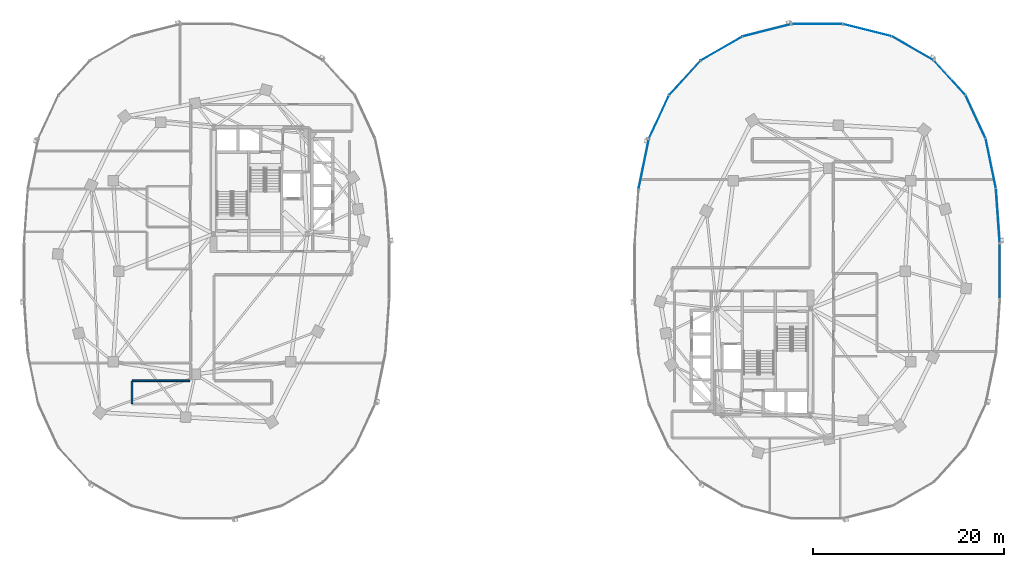
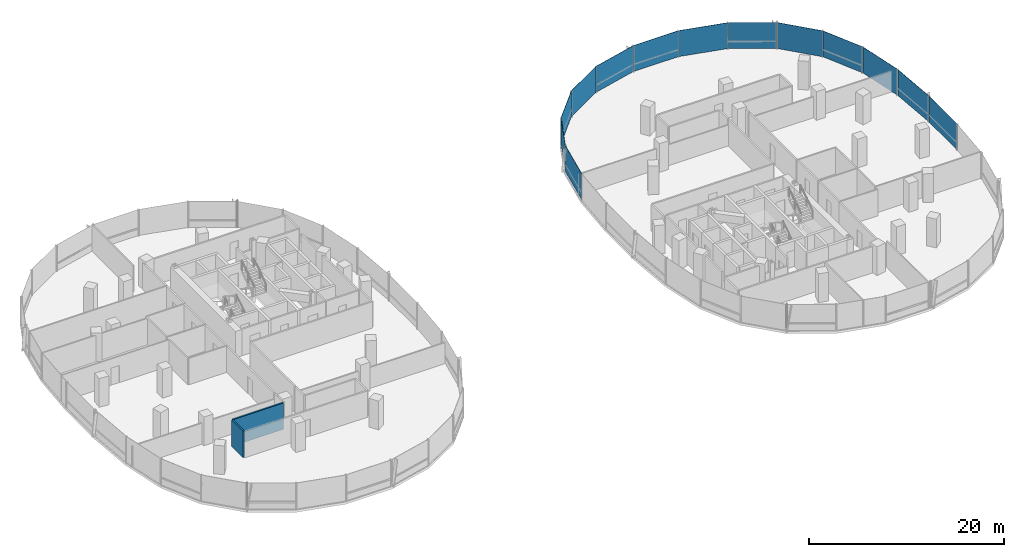
# One storey, part 10 of 21: 13 plates, 2 walls, 3 elements without a shape of their own.
"""IFC4 building model written with IfcOpenShell, lengths in metres."""

from ifc_helpers import new_model, si_unit, direction, frame, frame_2d, origin, origin_2d, place, context, subcontext, project, spatial, rectangle, extrude, material, layer, layer_set, type_object, element, aggregate, save


model = new_model("IFC4")

# Units and contexts
model_context = context("Model", 3, precision=1e-05, world=origin(), true_north=direction((0.0, 1.0)))
body_context = subcontext(model_context, "Body", "Model", "MODEL_VIEW")
ifc_project = project(units=[si_unit("LENGTHUNIT", "METRE"), si_unit("AREAUNIT", "SQUARE_METRE"), si_unit("VOLUMEUNIT", "CUBIC_METRE"), si_unit("PLANEANGLEUNIT", "RADIAN"), si_unit("MASSUNIT", "GRAM", prefix="KILO"), si_unit("THERMODYNAMICTEMPERATUREUNIT", "KELVIN"), si_unit("POWERUNIT", "WATT")], contexts=[model_context])

# Site, building, storey
site_placement = place(None, origin())
site = spatial("IfcSite", under=ifc_project, at=site_placement, CompositionType="ELEMENT")
building_placement = place(site_placement, origin())
building = spatial("IfcBuilding", under=site, at=building_placement, Name="Cundina Bronze Exchange", CompositionType="ELEMENT")
storey_placement = place(building_placement, frame((0.0, 0.0, 110.60009765625)))
storey = spatial("IfcBuildingStorey", under=building, at=storey_placement, Name="L28", CompositionType="ELEMENT", Elevation=110.60009765625)

# Curtain wall, plates
ifc_material_1 = material(Name="Anodised Bronze Aluminium 6063-T6", Category="aluminium")
curtain_wall_type = type_object("IfcCurtainWallType", Name="CWS-TRD-MID", PredefinedType="NOTDEFINED", material=ifc_material_1)
curtain_wall_1_placement = place(storey_placement, origin())
curtain_wall_1 = element("IfcCurtainWall", 1, at=curtain_wall_1_placement, inside=storey, type_object=curtain_wall_type, Name="L28 CW-03 Curtain Wall Run CWR-L28-E1", PredefinedType="NOTDEFINED")
ifc_material_2 = material(Name="Heat-Strengthened Solar-Control Bronze Safety Glass 28mm", Category="glass")
ifc_layer_1 = layer(ifc_material_2, 0.028076171875, Name="Heat-Strengthened Solar-Control Bronze Safety Glass 28mm", Category="glass")
ifc_layer_set_1 = layer_set([ifc_layer_1], Name="Heat-Strengthened Solar-Control Bronze Safety Glass 28mm")
plate_type_1 = type_object("IfcPlateType", Name="PLT-GLZ-VIS28", PredefinedType="CURTAIN_PANEL", material=ifc_layer_set_1)
plate_1_placement = place(storey_placement, frame((50.9267578125, 5.783935546875, 0.02001953125), z_axis=(0.0, 0.0, 1.0), x_axis=(-0.070278787473, 0.997527389113, 0.0)))
plate_1 = element("IfcPlate", 2, at=plate_1_placement, type_object=plate_type_1, Name="CW-03 Glazed Panel 1", PredefinedType="CURTAIN_PANEL", context=body_context, shape_type="SweptSolid", body=[
    extrude(rectangle(XDim=5.644287109375, YDim=0.028076171875, at=origin_2d()), origin(), (0.0, 0.0, 1.0), 3.260009765625),
])
plate_2_placement = place(storey_placement, frame((48.586181640625, 16.177734375, 0.02001953125), z_axis=(0.0, 0.0, 1.0), x_axis=(-0.42084583328, 0.907132175932, 0.0)))
plate_2 = element("IfcPlate", 3, at=plate_2_placement, type_object=plate_type_1, Name="CW-03 Glazed Panel 3", PredefinedType="CURTAIN_PANEL", context=body_context, shape_type="SweptSolid", body=[
    extrude(rectangle(XDim=4.966552734375, YDim=0.028076171875, at=origin_2d()), origin(), (0.0, 0.0, 1.0), 3.260009765625),
])
plate_3_placement = place(storey_placement, frame((45.8740234375, 20.267333984375, 0.02001953125), z_axis=(0.0, 0.0, 1.0), x_axis=(-0.674276610219, 0.73847887777, 0.0)))
plate_3 = element("IfcPlate", 4, at=plate_3_placement, type_object=plate_type_1, Name="CW-03 Glazed Panel 4", PredefinedType="CURTAIN_PANEL", context=body_context, shape_type="SweptSolid", body=[
    extrude(rectangle(XDim=4.86328125, YDim=0.028076171875, at=origin_2d()), origin(), (0.0, 0.0, 1.0), 3.260009765625),
])
plate_4_placement = place(storey_placement, frame((42.019287109375, 23.34423828125, 0.02001953125), z_axis=(0.0, 0.0, 1.0), x_axis=(-0.867105478933, 0.498124571171, 0.0)))
plate_4 = element("IfcPlate", 5, at=plate_4_placement, type_object=plate_type_1, Name="CW-03 Glazed Panel 5", PredefinedType="CURTAIN_PANEL", context=body_context, shape_type="SweptSolid", body=[
    extrude(rectangle(XDim=5.021240234375, YDim=0.028076171875, at=origin_2d()), origin(), (0.0, 0.0, 1.0), 3.260009765625),
])
plate_5_placement = place(storey_placement, frame((37.255615234375, 25.256591796875, 0.02001953125), z_axis=(0.0, 0.0, 1.0), x_axis=(-0.969488149345, 0.245138182011, 0.0)))
plate_5 = element("IfcPlate", 6, at=plate_5_placement, type_object=plate_type_1, Name="CW-03 Glazed Panel 6", PredefinedType="CURTAIN_PANEL", context=body_context, shape_type="SweptSolid", body=[
    extrude(rectangle(XDim=5.2333984375, YDim=0.028076171875, at=origin_2d()), origin(), (0.0, 0.0, 1.0), 3.260009765625),
])

curtain_wall_2_placement = place(storey_placement, origin())
curtain_wall_2 = element("IfcCurtainWall", 7, at=curtain_wall_2_placement, inside=storey, type_object=curtain_wall_type, Name="L28 CW-03 Curtain Wall Run CWR-L28-E2", PredefinedType="NOTDEFINED")
plate_6_placement = place(storey_placement, frame((21.980712890625, 23.34423828125, 0.02001953125), z_axis=(0.0, 0.0, 1.0), x_axis=(-0.867105478933, -0.498124571171, 0.0)))
plate_6 = element("IfcPlate", 8, at=plate_6_placement, type_object=plate_type_1, Name="CW-03 Glazed Panel 2", PredefinedType="CURTAIN_PANEL", context=body_context, shape_type="SweptSolid", body=[
    extrude(rectangle(XDim=5.021240234375, YDim=0.028076171875, at=origin_2d()), origin(), (0.0, 0.0, 1.0), 3.260009765625),
])
plate_7_placement = place(storey_placement, frame((18.1259765625, 20.267333984375, 0.02001953125), z_axis=(0.0, 0.0, 1.0), x_axis=(-0.674276610219, -0.73847887777, 0.0)))
plate_7 = element("IfcPlate", 9, at=plate_7_placement, type_object=plate_type_1, Name="CW-03 Glazed Panel 3", PredefinedType="CURTAIN_PANEL", context=body_context, shape_type="SweptSolid", body=[
    extrude(rectangle(XDim=4.86328125, YDim=0.028076171875, at=origin_2d()), origin(), (0.0, 0.0, 1.0), 3.260009765625),
])
plate_8_placement = place(storey_placement, frame((15.413818359375, 16.177734375, 0.02001953125), z_axis=(0.0, 0.0, 1.0), x_axis=(-0.42084583328, -0.907132175932, 0.0)))
plate_8 = element("IfcPlate", 10, at=plate_8_placement, type_object=plate_type_1, Name="CW-03 Glazed Panel 4", PredefinedType="CURTAIN_PANEL", context=body_context, shape_type="SweptSolid", body=[
    extrude(rectangle(XDim=4.966552734375, YDim=0.028076171875, at=origin_2d()), origin(), (0.0, 0.0, 1.0), 3.260009765625),
])
plate_9_placement = place(storey_placement, frame((13.81591796875, 11.269775390625, 0.02001953125), z_axis=(0.0, 0.0, 1.0), x_axis=(-0.201419845156, -0.979505000486, 0.0)))
plate_9 = element("IfcPlate", 11, at=plate_9_placement, type_object=plate_type_1, Name="CW-03 Glazed Panel 5", PredefinedType="CURTAIN_PANEL", context=body_context, shape_type="SweptSolid", body=[
    extrude(rectangle(XDim=5.306640625, YDim=0.028076171875, at=origin_2d()), origin(), (0.0, 0.0, 1.0), 3.260009765625),
])

# Curtain wall, plate
curtain_wall_3_placement = place(storey_placement, origin())
curtain_wall_3 = element("IfcCurtainWall", 12, at=curtain_wall_3_placement, inside=storey, type_object=curtain_wall_type, Name="L28 CW-03 Curtain Wall Run CWR-L28-E4", PredefinedType="NOTDEFINED")
plate_10_placement = place(storey_placement, frame((51.1279296875, 0.0, 0.02001953125), z_axis=(0.0, 0.0, 1.0), x_axis=(0.0, 1.0, 0.0)))
plate_10 = element("IfcPlate", 13, at=plate_10_placement, type_object=plate_type_1, Name="CW-03 Glazed Panel 7", PredefinedType="CURTAIN_PANEL", context=body_context, shape_type="SweptSolid", body=[
    extrude(rectangle(XDim=5.77587890625, YDim=0.028076171875, at=origin_2d()), origin(), (0.0, 0.0, 1.0), 3.260009765625),
])
aggregate(curtain_wall_3, [plate_10])

# Plate
ifc_material_3 = material(Name="Dark Bronze Spandrel Glass Panel 32mm", Category="glass")
ifc_layer_2 = layer(ifc_material_3, 0.031982421875, Name="Dark Bronze Spandrel Glass Panel 32mm", Category="glass")
ifc_layer_set_2 = layer_set([ifc_layer_2], Name="Dark Bronze Spandrel Glass Panel 32mm")
plate_type_2 = type_object("IfcPlateType", Name="PLT-SPN-BRZ32", PredefinedType="CURTAIN_PANEL", material=ifc_layer_set_2)
plate_11_placement = place(storey_placement, frame((50.18408203125, 11.269775390625, 0.02001953125), z_axis=(0.0, 0.0, 1.0), x_axis=(-0.201419845156, 0.979505000486, 0.0)))
plate_11 = element("IfcPlate", 14, at=plate_11_placement, type_object=plate_type_2, Name="CW-03 Glazed Panel 2", PredefinedType="CURTAIN_PANEL", context=body_context, shape_type="SweptSolid", body=[
    extrude(rectangle(XDim=5.306640625, YDim=0.031982421875, at=origin_2d()), origin(), (0.0, 0.0, 1.0), 3.260009765625),
])

plate_12_placement = place(storey_placement, frame((32.0, 25.905029296875, 0.02001953125), z_axis=(0.0, 0.0, 1.0), x_axis=(-1.0, 0.0, 0.0)))
plate_12 = element("IfcPlate", 15, at=plate_12_placement, type_object=plate_type_2, Name="CW-03 Glazed Panel 7", PredefinedType="CURTAIN_PANEL", context=body_context, shape_type="SweptSolid", body=[
    extrude(rectangle(XDim=5.323974609375, YDim=0.031982421875, at=origin_2d()), origin(), (0.0, 0.0, 1.0), 3.260009765625),
])

aggregate(curtain_wall_1, [plate_1, plate_11, plate_2, plate_3, plate_4, plate_5, plate_12])

plate_13_placement = place(storey_placement, frame((26.744384765625, 25.256591796875, 0.02001953125), z_axis=(0.0, 0.0, 1.0), x_axis=(-0.969488149345, -0.245138182011, 0.0)))
plate_13 = element("IfcPlate", 16, at=plate_13_placement, type_object=plate_type_2, Name="CW-03 Glazed Panel 1", PredefinedType="CURTAIN_PANEL", context=body_context, shape_type="SweptSolid", body=[
    extrude(rectangle(XDim=5.2333984375, YDim=0.031982421875, at=origin_2d()), origin(), (0.0, 0.0, 1.0), 3.260009765625),
])

aggregate(curtain_wall_2, [plate_13, plate_6, plate_7, plate_8, plate_9])

# Walls
ifc_material_4 = material(Name="Gypsum Fireboard Partition EI120")
ifc_layer_3 = layer(ifc_material_4, 0.179931640625, Name="Gypsum Fireboard Partition EI120")
ifc_layer_set_3 = layer_set([ifc_layer_3], Name="Gypsum Fireboard Partition EI120")
wall_type = type_object("IfcWallType", Name="WL-COR-180", PredefinedType="PARTITIONING", material=ifc_layer_set_3)
wall_1_placement = place(storey_placement, frame((-33.75, -11.47998046875, 0.0), z_axis=(0.0, 0.0, 1.0), x_axis=(-1.0, 0.0, 0.0)))
element("IfcWall", 17, at=wall_1_placement, inside=storey, type_object=wall_type, Name="L28 Interior Partition 021", PredefinedType="PARTITIONING", context=body_context, shape_type="SweptSolid", body=[
    extrude(rectangle(XDim=6.028564453125, YDim=0.179931640625, at=frame_2d((3.01416015625, 0.0))), origin(), (0.0, 0.0, 1.0), 3.2998046875),
])
wall_2_placement = place(storey_placement, frame((-39.820068359375, -11.521484375, 0.0), z_axis=(0.0, 0.0, 1.0), x_axis=(0.0, -1.0, 0.0)))
element("IfcWall", 18, at=wall_2_placement, inside=storey, type_object=wall_type, Name="L28 Interior Partition 023", PredefinedType="PARTITIONING", context=body_context, shape_type="SweptSolid", body=[
    extrude(rectangle(XDim=2.35693359375, YDim=0.179931640625, at=frame_2d((1.178466796875, 0.0))), origin(), (0.0, 0.0, 1.0), 3.2998046875),
])

save(model, "model.ifc")
